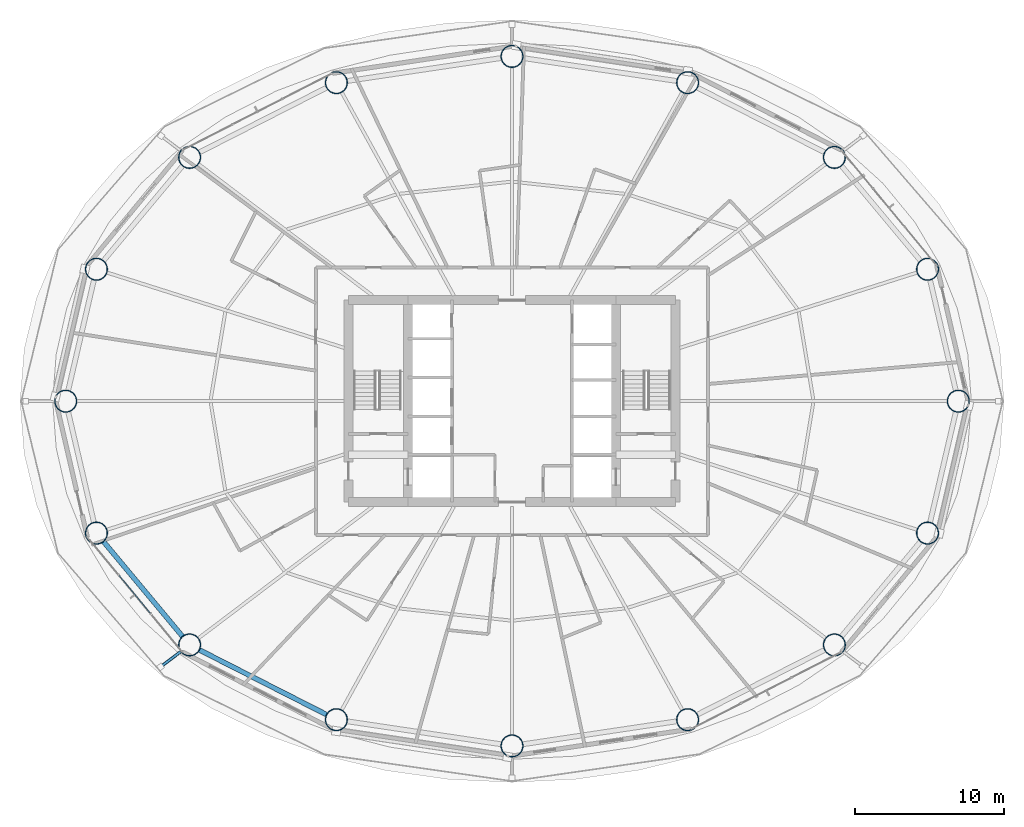
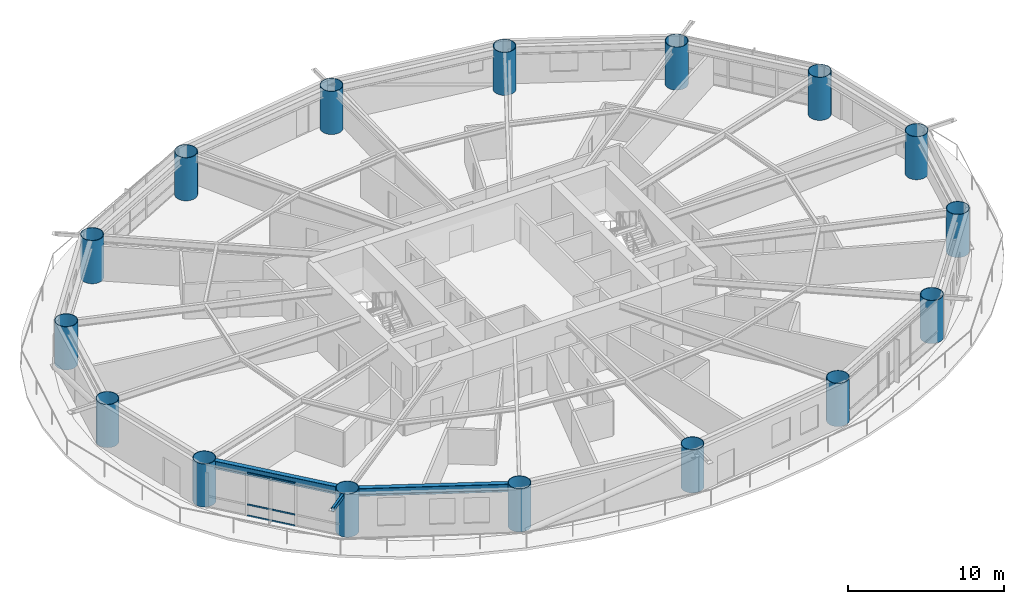
# One storey, part 1 of 28: 16 columns, 4 members, 2 beams, 1 element without a shape of its own.
"""IFC4 building model written with IfcOpenShell, lengths in metres."""

from ifc_helpers import new_model, si_unit, direction, frame, origin, origin_2d, place, context, subcontext, project, spatial, hollow_rectangle, hollow_circle, i_section, extrude, material, layer, layer_set, material_profile, profile_set, type_object, element, aggregate, save


model = new_model("IFC4")

# Units and contexts
model_context = context("Model", 3, precision=1e-05, world=origin(), true_north=direction((0.0, 1.0)))
body_context = subcontext(model_context, "Body", "Model", "MODEL_VIEW")
ifc_project = project(units=[si_unit("LENGTHUNIT", "METRE"), si_unit("AREAUNIT", "SQUARE_METRE"), si_unit("VOLUMEUNIT", "CUBIC_METRE"), si_unit("PLANEANGLEUNIT", "RADIAN"), si_unit("MASSUNIT", "GRAM", prefix="KILO")], contexts=[model_context])

# Site, building, storey
site_placement = place(None, origin())
site = spatial("IfcSite", under=ifc_project, at=site_placement, CompositionType="ELEMENT")
building_placement = place(site_placement, origin())
building = spatial("IfcBuilding", under=site, at=building_placement, Name="Sarneth Arch Tower", CompositionType="ELEMENT")
storey_placement = place(building_placement, frame((0.0, 0.0, 31.800048828125)))
storey = spatial("IfcBuildingStorey", under=building, at=storey_placement, Name="L06", CompositionType="ELEMENT", Elevation=31.800048828125)

# Columns
ifc_material_1 = material(Name="Steel S355", Category="steel")
ifc_material_profile_1 = material_profile(ifc_material_1, hollow_circle(Radius=0.75, WallThickness=0.0400390625, at=origin_2d()), Name="CHS1500x40")
ifc_profile_set_1 = profile_set([ifc_material_profile_1], Name="Steel S355")
column_type = type_object("IfcColumnType", Name="COL-MEGA-1500", PredefinedType="COLUMN", material=ifc_profile_set_1)
for number, where, z_axis, x_axis, name in (
    (1, (78.034912109375, 42.0, 0.0), (0.0, 0.0, 1.0), (1.0, 0.0, 0.0), "L06 Perimeter mega-column M01"),
    (2, (75.965576171875, 50.878173828125, 0.0), (0.0, 0.0, 1.0), (1.0, 0.0, 0.0), "L06 Perimeter mega-column M02"),
    (3, (69.696533203125, 58.40478515625, 0.0), (0.0, 0.0, 1.0), (1.0, 0.0, 0.0), "L06 Perimeter mega-column M03"),
    (4, (59.81787109375, 63.43408203125, 0.0), (0.0, 0.0, 1.0), (1.0, 0.0, 0.0), "L06 Perimeter mega-column M04"),
    (5, (48.0, 65.199951171875, 0.0), (0.0, 0.0, 1.0), (1.0, 0.0, 0.0), "L06 Perimeter mega-column M05"),
    (6, (36.18212890625, 63.43408203125, 0.0), (0.0, 0.0, 1.0), (1.0, 0.0, 0.0), "L06 Perimeter mega-column M06"),
    (7, (26.303466796875, 58.40478515625, 0.0), (0.0, 0.0, 1.0), (1.0, 0.0, 0.0), "L06 Perimeter mega-column M07"),
    (8, (20.034423828125, 50.878173828125, 0.0), (0.0, 0.0, 1.0), (1.0, 0.0, 0.0), "L06 Perimeter mega-column M08"),
    (9, (17.965087890625, 42.0, 0.0), (0.0, 0.0, 1.0), (1.0, 0.0, 0.0), "L06 Perimeter mega-column M09"),
    (10, (20.034423828125, 33.121826171875, 0.0), (0.0, 0.0, 1.0), (1.0, 0.0, 0.0), "L06 Perimeter mega-column M10"),
    (11, (26.303466796875, 25.59521484375, 0.0), (0.0, 0.0, 1.0), (1.0, 0.0, 0.0), "L06 Perimeter mega-column M11"),
    (12, (36.18212890625, 20.56591796875, 0.0), (0.0, 0.0, 1.0), (1.0, 0.0, 0.0), "L06 Perimeter mega-column M12"),
    (13, (48.0, 18.800048828125, 0.0), (0.0, 0.0, 1.0), (1.0, 0.0, 0.0), "L06 Perimeter mega-column M13"),
    (14, (59.81787109375, 20.56591796875, 0.0), (0.0, 0.0, 1.0), (1.0, 0.0, 0.0), "L06 Perimeter mega-column M14"),
    (15, (69.696533203125, 25.59521484375, 0.0), (0.0, 0.0, 1.0), (1.0, 0.0, 0.0), "L06 Perimeter mega-column M15"),
    (16, (75.965576171875, 33.121826171875, 0.0), (0.0, 0.0, 1.0), (1.0, 0.0, 0.0), "L06 Perimeter mega-column M16"),
):
    element("IfcColumn", number, at=place(storey_placement, frame(where, z_axis=z_axis, x_axis=x_axis)), inside=storey, type_object=column_type, Name=name, PredefinedType="COLUMN", context=body_context, shape_type="SweptSolid", body=[
        extrude(hollow_circle(Radius=0.75, WallThickness=0.0400390625, at=origin_2d()), origin(), (0.0, 0.0, 1.0), 3.3798828125),
    ])

# Beams
ifc_material_2 = material(Name="Steel S355", Category="steel")
ifc_material_profile_2 = material_profile(ifc_material_2, i_section(OverallWidth=0.326904296875, OverallDepth=0.6220703125, WebThickness=0.015380859375, FlangeThickness=0.0244140625, FilletRadius=0.01904296875, at=origin_2d()), Name="W610x195")
ifc_profile_set_2 = profile_set([ifc_material_profile_2], Name="Steel S355")
beam_type = type_object("IfcBeamType", Name="BM-SPAN-610A", PredefinedType="SPANDREL", material=ifc_profile_set_2)
beam_1_placement = place(storey_placement, frame((20.514404296875, 32.54541015625, 3.06884765625), z_axis=(0.639981736251, -0.768390120489, 0.0), x_axis=(0.768390120489, 0.639981736251, 0.0)))
element("IfcBeam", 17, at=beam_1_placement, inside=storey, type_object=beam_type, Name="L06 Perimeter spandrel beam 10", PredefinedType="SPANDREL", context=body_context, shape_type="SweptSolid", body=[
    extrude(i_section(OverallWidth=0.326904296875, OverallDepth=0.6220703125, WebThickness=0.015380859375, FlangeThickness=0.0244140625, FilletRadius=0.01904296875, at=origin_2d()), origin(), (0.0, 0.0, 1.0), 8.29541015625),
])
beam_2_placement = place(storey_placement, frame((26.9716796875, 25.2548828125, 3.06884765625), z_axis=(0.891169106887, -0.453671271882, 0.0), x_axis=(0.453671271882, 0.891169106887, 0.0)))
element("IfcBeam", 18, at=beam_2_placement, inside=storey, type_object=beam_type, Name="L06 Perimeter spandrel beam 11", PredefinedType="SPANDREL", context=body_context, shape_type="SweptSolid", body=[
    extrude(i_section(OverallWidth=0.326904296875, OverallDepth=0.6220703125, WebThickness=0.015380859375, FlangeThickness=0.0244140625, FilletRadius=0.01904296875, at=origin_2d()), origin(), (0.0, 0.0, 1.0), 9.58544921875),
])

# Curtain wall, members
ifc_material_3 = material(Name="Anodised aluminium Type AA25 and solar-control low-e laminated IGU", Category="aluminium")
ifc_layer = layer(ifc_material_3, 0.159912109375)
ifc_layer_set = layer_set([ifc_layer], Name="Anodised aluminium Type AA25 and solar-control low-e laminated IGU")
curtain_wall_type = type_object("IfcCurtainWallType", Name="CW-HOTEL-LOW", PredefinedType="NOTDEFINED", material=ifc_layer_set)
curtain_wall_placement = place(storey_placement, origin())
curtain_wall = element("IfcCurtainWall", 19, at=curtain_wall_placement, inside=storey, type_object=curtain_wall_type, Name="L06 Unitised curtain wall facet 10", PredefinedType="NOTDEFINED")
ifc_material_4 = material(Name="Anodised Aluminium 6063-T6", Category="aluminium")
ifc_material_profile_3 = material_profile(ifc_material_4, hollow_rectangle(XDim=0.06005859375, YDim=0.1201171875, WallThickness=0.00390625, at=origin_2d()), Name="AL-TRAN-120x60x4")
ifc_profile_set_3 = profile_set([ifc_material_profile_3], Name="Anodised Aluminium 6063-T6")
member_type_1 = type_object("IfcMemberType", Name="CW-TRANSOM", PredefinedType="USERDEFINED", material=ifc_profile_set_3)
member_1_placement = place(storey_placement, frame((21.57373046875, 30.256103515625, 0.030029296875), z_axis=(0.637268595771, -0.770641769465, 0.0), x_axis=(0.770641769465, 0.637268595771, 0.0)))
member_1 = element("IfcMember", 20, at=member_1_placement, type_object=member_type_1, Name="CW-SYS-3 transom 2.1", ObjectType="TRANSOM", PredefinedType="USERDEFINED", context=body_context, shape_type="SweptSolid", body=[
    extrude(hollow_rectangle(XDim=0.06005859375, YDim=0.1201171875, WallThickness=0.00390625, at=origin_2d()), origin(), (0.0, 0.0, 1.0), 3.291259765625),
])
member_2_placement = place(storey_placement, frame((21.57373046875, 30.256103515625, 0.89990234375), z_axis=(0.637268595771, -0.770641769465, 0.0), x_axis=(0.770641769465, 0.637268595771, 0.0)))
member_2 = element("IfcMember", 21, at=member_2_placement, type_object=member_type_1, Name="CW-SYS-3 transom 2.2", ObjectType="TRANSOM", PredefinedType="USERDEFINED", context=body_context, shape_type="SweptSolid", body=[
    extrude(hollow_rectangle(XDim=0.06005859375, YDim=0.1201171875, WallThickness=0.00390625, at=origin_2d()), origin(), (0.0, 0.0, 1.0), 3.291259765625),
])
member_3_placement = place(storey_placement, frame((21.57373046875, 30.256103515625, 3.349853515625), z_axis=(0.637268595771, -0.770641769465, 0.0), x_axis=(0.770641769465, 0.637268595771, 0.0)))
member_3 = element("IfcMember", 22, at=member_3_placement, type_object=member_type_1, Name="CW-SYS-3 transom 2.3", ObjectType="TRANSOM", PredefinedType="USERDEFINED", context=body_context, shape_type="SweptSolid", body=[
    extrude(hollow_rectangle(XDim=0.06005859375, YDim=0.1201171875, WallThickness=0.00390625, at=origin_2d()), origin(), (0.0, 0.0, 1.0), 3.291259765625),
])
aggregate(curtain_wall, [member_1, member_2, member_3])

# Member
ifc_material_5 = material(Name="Steel S355", Category="steel")
ifc_material_profile_4 = material_profile(ifc_material_5, hollow_rectangle(XDim=0.199951171875, YDim=0.300048828125, WallThickness=0.012451171875, InnerFilletRadius=0.018798828125, OuterFilletRadius=0.03125, at=origin_2d()), Name="RHS300x200x12.5")
ifc_profile_set_4 = profile_set([ifc_material_profile_4], Name="Steel S355")
member_type_2 = type_object("IfcMemberType", Name="MEM-CANT-STRUT", PredefinedType="STRUT", material=ifc_profile_set_4)
member_4_placement = place(storey_placement, frame((25.705078125, 25.142822265625, 3.219970703125), z_axis=(-0.797659331282, -0.603108274872, 0.0), x_axis=(0.603108274872, -0.797659331282, 0.0)))
element("IfcMember", 23, at=member_4_placement, inside=storey, type_object=member_type_2, Name="L06 Balcony cantilever bracket 11", PredefinedType="STRUT", context=body_context, shape_type="SweptSolid", body=[
    extrude(hollow_rectangle(XDim=0.199951171875, YDim=0.300048828125, WallThickness=0.012451171875, InnerFilletRadius=0.018798828125, OuterFilletRadius=0.03125, at=origin_2d()), origin(), (0.0, 0.0, 1.0), 1.694091796875),
])

save(model, "model.ifc")
